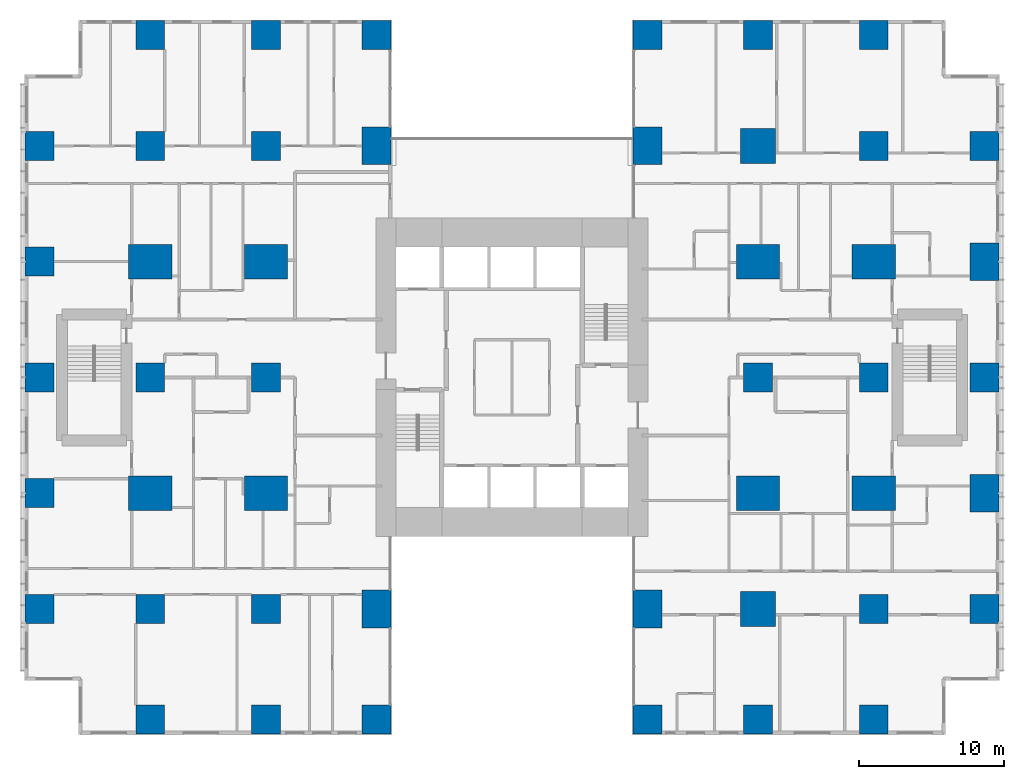
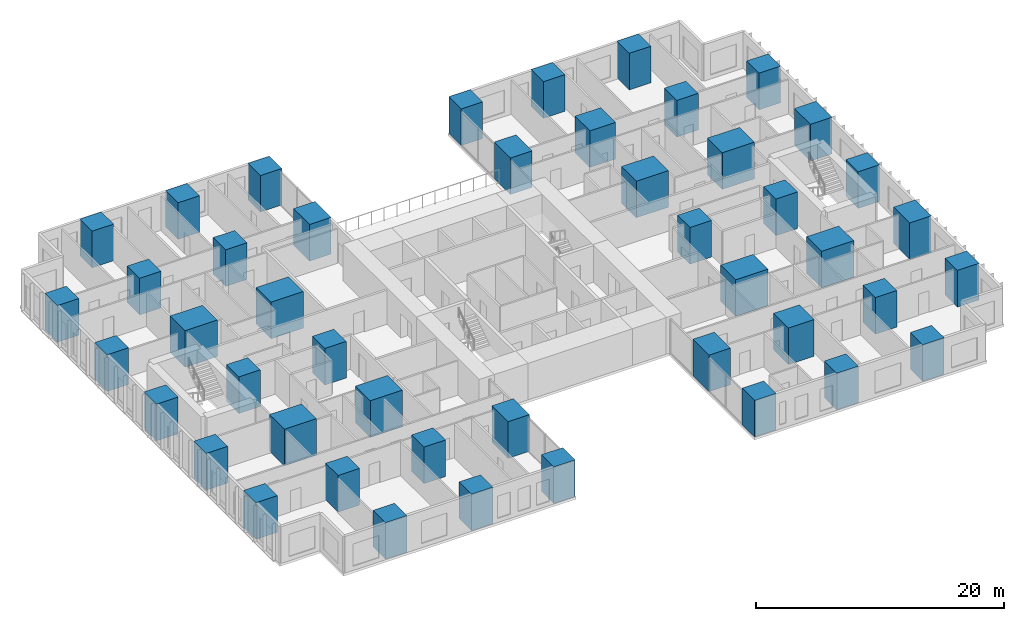
# One storey, part 1 of 20: 46 columns.
"""IFC4 building model written with IfcOpenShell, lengths in metres."""

from ifc_helpers import new_model, si_unit, direction, frame, origin, origin_2d, place, context, subcontext, project, spatial, rectangle, extrude, material, material_profile, profile_set, type_object, element, save


model = new_model("IFC4")

# Units and contexts
model_context = context("Model", 3, precision=1e-05, world=origin(), true_north=direction((0.0, 1.0)))
body_context = subcontext(model_context, "Body", "Model", "MODEL_VIEW")
ifc_project = project(units=[si_unit("LENGTHUNIT", "METRE"), si_unit("AREAUNIT", "SQUARE_METRE"), si_unit("VOLUMEUNIT", "CUBIC_METRE"), si_unit("PLANEANGLEUNIT", "RADIAN"), si_unit("MASSUNIT", "GRAM", prefix="KILO")], contexts=[model_context])

# Site, building, storey
site_placement = place(None, origin())
site = spatial("IfcSite", under=ifc_project, at=site_placement, CompositionType="ELEMENT")
building_placement = place(site_placement, origin())
building = spatial("IfcBuilding", under=site, at=building_placement, Name="Cleftline Residences", CompositionType="ELEMENT")
storey_placement = place(building_placement, frame((0.0, 0.0, 96.199951171875)))
storey = spatial("IfcBuildingStorey", under=building, at=storey_placement, Name="L24", CompositionType="ELEMENT", Elevation=96.199951171875)

# Columns
ifc_material_1 = material(Name="Concrete B70", Category="concrete")
ifc_material_profile_1 = material_profile(ifc_material_1, rectangle(XDim=2.0, YDim=2.0, at=origin_2d()))
ifc_profile_set_1 = profile_set([ifc_material_profile_1], Name="Concrete B70")
column_type_1 = type_object("IfcColumnType", Name="COLUMN RC2000X2000", PredefinedType="COLUMN", material=ifc_profile_set_1)
for number, where, z_axis, x_axis, name in (
    (1, (0.35009765625, 8.0, 0.0), (0.0, 0.0, 1.0), (1.0, 0.0, 0.0), "Column D/3"),
    (2, (0.35009765625, 16.0, 0.0), (0.0, 0.0, 1.0), (1.0, 0.0, 0.0), "Column E/3"),
    (3, (0.35009765625, 24.0, 0.0), (0.0, 0.0, 1.0), (1.0, 0.0, 0.0), "Column F/3"),
    (4, (0.35009765625, 32.0, 0.0), (0.0, 0.0, 1.0), (1.0, 0.0, 0.0), "Column G/3"),
    (5, (0.35009765625, 40.0, 0.0), (0.0, 0.0, 1.0), (1.0, 0.0, 0.0), "Column H/3"),
    (6, (8.0, 0.35009765625, 0.0), (0.0, 0.0, 1.0), (1.0, 0.0, 0.0), "Column C/4"),
    (7, (8.0, 8.0, 0.0), (0.0, 0.0, 1.0), (1.0, 0.0, 0.0), "Column D/4"),
    (8, (8.0, 24.0, 0.0), (0.0, 0.0, 1.0), (1.0, 0.0, 0.0), "Column F/4"),
    (9, (8.0, 40.0, 0.0), (0.0, 0.0, 1.0), (1.0, 0.0, 0.0), "Column H/4"),
    (10, (8.0, 47.64990234375, 0.0), (0.0, 0.0, 1.0), (1.0, 0.0, 0.0), "Column J/4"),
    (11, (16.0, 0.35009765625, 0.0), (0.0, 0.0, 1.0), (1.0, 0.0, 0.0), "Column C/5"),
    (12, (16.0, 8.0, 0.0), (0.0, 0.0, 1.0), (1.0, 0.0, 0.0), "Column D/5"),
    (13, (16.0, 24.0, 0.0), (0.0, 0.0, 1.0), (1.0, 0.0, 0.0), "Column F/5"),
    (14, (16.0, 40.0, 0.0), (0.0, 0.0, 1.0), (1.0, 0.0, 0.0), "Column H/5"),
    (15, (16.0, 47.64990234375, 0.0), (0.0, 0.0, 1.0), (1.0, 0.0, 0.0), "Column J/5"),
    (16, (23.64990234375, 0.35009765625, 0.0), (0.0, 0.0, 1.0), (1.0, 0.0, 0.0), "Column C/6"),
    (17, (23.64990234375, 47.64990234375, 0.0), (0.0, 0.0, 1.0), (1.0, 0.0, 0.0), "Column J/6"),
    (18, (42.35009765625, 0.35009765625, 0.0), (0.0, 0.0, 1.0), (1.0, 0.0, 0.0), "Column C/8"),
    (19, (42.35009765625, 47.64990234375, 0.0), (0.0, 0.0, 1.0), (1.0, 0.0, 0.0), "Column J/8"),
    (20, (50.0, 0.35009765625, 0.0), (0.0, 0.0, 1.0), (1.0, 0.0, 0.0), "Column C/9"),
    (21, (50.0, 24.0, 0.0), (0.0, 0.0, 1.0), (1.0, 0.0, 0.0), "Column F/9"),
    (22, (50.0, 47.64990234375, 0.0), (0.0, 0.0, 1.0), (1.0, 0.0, 0.0), "Column J/9"),
    (23, (58.0, 0.35009765625, 0.0), (0.0, 0.0, 1.0), (1.0, 0.0, 0.0), "Column C/10"),
    (24, (58.0, 8.0, 0.0), (0.0, 0.0, 1.0), (1.0, 0.0, 0.0), "Column D/10"),
    (25, (58.0, 24.0, 0.0), (0.0, 0.0, 1.0), (1.0, 0.0, 0.0), "Column F/10"),
    (26, (58.0, 40.0, 0.0), (0.0, 0.0, 1.0), (1.0, 0.0, 0.0), "Column H/10"),
    (27, (58.0, 47.64990234375, 0.0), (0.0, 0.0, 1.0), (1.0, 0.0, 0.0), "Column J/10"),
    (28, (65.64990234375, 8.0, 0.0), (0.0, 0.0, 1.0), (1.0, 0.0, 0.0), "Column D/11"),
    (29, (65.64990234375, 24.0, 0.0), (0.0, 0.0, 1.0), (1.0, 0.0, 0.0), "Column F/11"),
    (30, (65.64990234375, 40.0, 0.0), (0.0, 0.0, 1.0), (1.0, 0.0, 0.0), "Column H/11"),
):
    element("IfcColumn", number, at=place(storey_placement, frame(where, z_axis=z_axis, x_axis=x_axis)), inside=storey, type_object=column_type_1, Name=name, PredefinedType="COLUMN", context=body_context, shape_type="SweptSolid", body=[
        extrude(rectangle(XDim=2.0, YDim=2.0, at=origin_2d()), origin(), (0.0, 0.0, 1.0), 3.60009765625),
    ])
ifc_material_2 = material(Name="Concrete B70", Category="concrete")
ifc_material_profile_2 = material_profile(ifc_material_2, rectangle(XDim=2.0, YDim=2.60009765625, at=origin_2d()))
ifc_profile_set_2 = profile_set([ifc_material_profile_2], Name="Concrete B70")
column_type_2 = type_object("IfcColumnType", Name="COLUMN RC2000X2600", PredefinedType="COLUMN", material=ifc_profile_set_2)
for number, where, z_axis, x_axis, name in (
    (31, (23.64990234375, 8.0, 0.0), (0.0, 0.0, 1.0), (1.0, 0.0, 0.0), "Column D/6"),
    (32, (23.64990234375, 40.0, 0.0), (0.0, 0.0, 1.0), (1.0, 0.0, 0.0), "Column H/6"),
    (33, (42.35009765625, 8.0, 0.0), (0.0, 0.0, 1.0), (1.0, 0.0, 0.0), "Column D/8"),
    (34, (42.35009765625, 40.0, 0.0), (0.0, 0.0, 1.0), (1.0, 0.0, 0.0), "Column H/8"),
):
    element("IfcColumn", number, at=place(storey_placement, frame(where, z_axis=z_axis, x_axis=x_axis)), inside=storey, type_object=column_type_2, Name=name, PredefinedType="COLUMN", context=body_context, shape_type="SweptSolid", body=[
        extrude(rectangle(XDim=2.0, YDim=2.60009765625, at=origin_2d()), origin(), (0.0, 0.0, 1.0), 3.60009765625),
    ])
ifc_material_3 = material(Name="Concrete B70", Category="concrete")
ifc_material_profile_3 = material_profile(ifc_material_3, rectangle(XDim=2.39990234375, YDim=2.39990234375, at=origin_2d()))
ifc_profile_set_3 = profile_set([ifc_material_profile_3], Name="Concrete B70")
column_type_3 = type_object("IfcColumnType", Name="COLUMN RC2400X2400", PredefinedType="COLUMN", material=ifc_profile_set_3)
for number, where, z_axis, x_axis, name in (
    (35, (50.0, 8.0, 0.0), (0.0, 0.0, 1.0), (1.0, 0.0, 0.0), "Column D/9"),
    (36, (50.0, 40.0, 0.0), (0.0, 0.0, 1.0), (1.0, 0.0, 0.0), "Column H/9"),
):
    element("IfcColumn", number, at=place(storey_placement, frame(where, z_axis=z_axis, x_axis=x_axis)), inside=storey, type_object=column_type_3, Name=name, PredefinedType="COLUMN", context=body_context, shape_type="SweptSolid", body=[
        extrude(rectangle(XDim=2.39990234375, YDim=2.39990234375, at=origin_2d()), origin(), (0.0, 0.0, 1.0), 3.60009765625),
    ])
ifc_material_4 = material(Name="Concrete B70", Category="concrete")
ifc_material_profile_4 = material_profile(ifc_material_4, rectangle(XDim=2.60009765625, YDim=2.0, at=origin_2d()))
ifc_profile_set_4 = profile_set([ifc_material_profile_4], Name="Concrete B70")
column_type_4 = type_object("IfcColumnType", Name="COLUMN RC2600X2000", PredefinedType="COLUMN", material=ifc_profile_set_4)
for number, where, z_axis, x_axis, name in (
    (37, (65.64990234375, 16.0, 0.0), (0.0, 0.0, 1.0), (0.0, 1.0, 0.0), "Column E/11"),
    (38, (65.64990234375, 32.0, 0.0), (0.0, 0.0, 1.0), (0.0, 1.0, 0.0), "Column G/11"),
):
    element("IfcColumn", number, at=place(storey_placement, frame(where, z_axis=z_axis, x_axis=x_axis)), inside=storey, type_object=column_type_4, Name=name, PredefinedType="COLUMN", context=body_context, shape_type="SweptSolid", body=[
        extrude(rectangle(XDim=2.60009765625, YDim=2.0, at=origin_2d()), origin(), (0.0, 0.0, 1.0), 3.60009765625),
    ])
ifc_material_5 = material(Name="Concrete B70", Category="concrete")
ifc_material_profile_5 = material_profile(ifc_material_5, rectangle(XDim=3.0, YDim=2.39990234375, at=origin_2d()))
ifc_profile_set_5 = profile_set([ifc_material_profile_5], Name="Concrete B70")
column_type_5 = type_object("IfcColumnType", Name="COLUMN RC3000X2400", PredefinedType="COLUMN", material=ifc_profile_set_5)
for number, where, z_axis, x_axis, name in (
    (39, (8.0, 16.0, 0.0), (0.0, 0.0, 1.0), (1.0, 0.0, 0.0), "Column E/4"),
    (40, (8.0, 32.0, 0.0), (0.0, 0.0, 1.0), (1.0, 0.0, 0.0), "Column G/4"),
    (41, (16.0, 16.0, 0.0), (0.0, 0.0, 1.0), (1.0, 0.0, 0.0), "Column E/5"),
    (42, (16.0, 32.0, 0.0), (0.0, 0.0, 1.0), (1.0, 0.0, 0.0), "Column G/5"),
    (43, (50.0, 16.0, 0.0), (0.0, 0.0, 1.0), (1.0, 0.0, 0.0), "Column E/9"),
    (44, (50.0, 32.0, 0.0), (0.0, 0.0, 1.0), (1.0, 0.0, 0.0), "Column G/9"),
    (45, (58.0, 16.0, 0.0), (0.0, 0.0, 1.0), (1.0, 0.0, 0.0), "Column E/10"),
    (46, (58.0, 32.0, 0.0), (0.0, 0.0, 1.0), (1.0, 0.0, 0.0), "Column G/10"),
):
    element("IfcColumn", number, at=place(storey_placement, frame(where, z_axis=z_axis, x_axis=x_axis)), inside=storey, type_object=column_type_5, Name=name, PredefinedType="COLUMN", context=body_context, shape_type="SweptSolid", body=[
        extrude(rectangle(XDim=3.0, YDim=2.39990234375, at=origin_2d()), origin(), (0.0, 0.0, 1.0), 3.60009765625),
    ])

save(model, "model.ifc")
